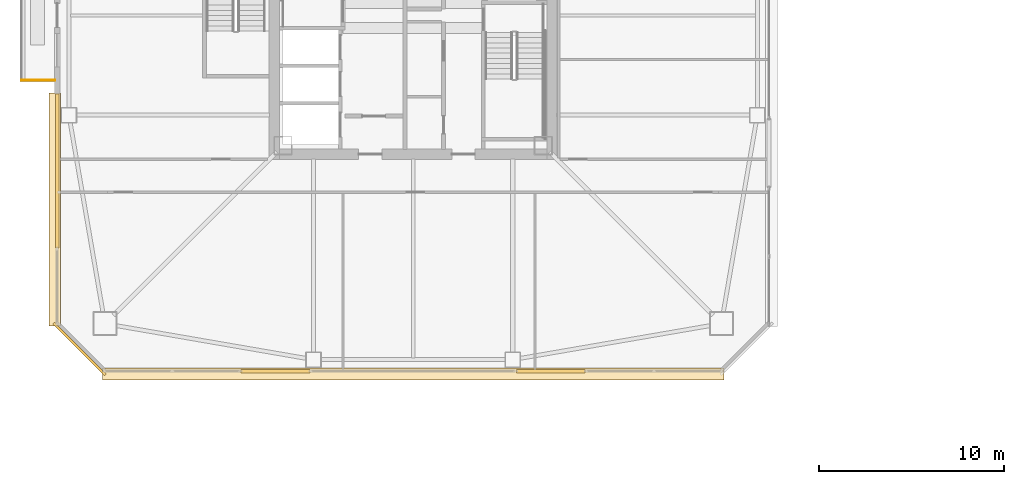
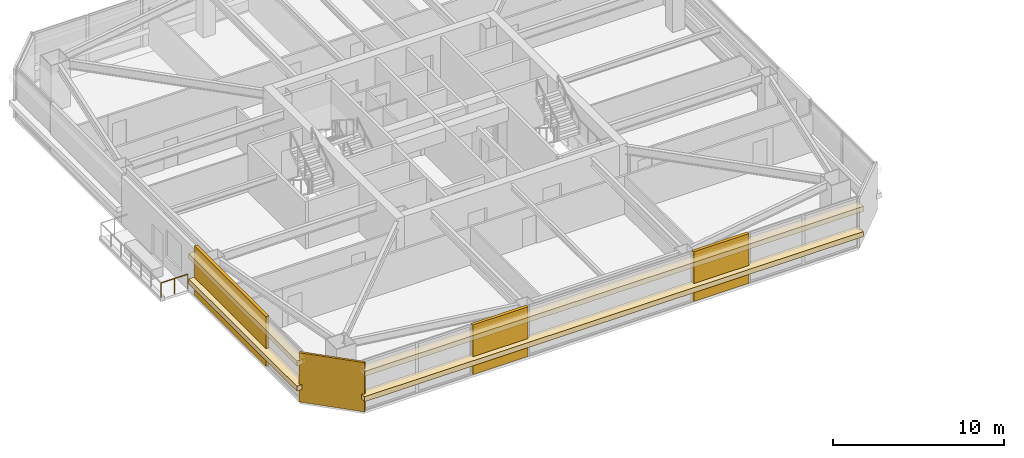
# One storey, part 41 of 46: 8 coverings, 1 railing.
"""IFC4 building model written with IfcOpenShell, lengths in metres."""

from ifc_helpers import new_model, si_unit, direction, frame, origin, origin_2d, place, context, subcontext, project, spatial, rectangle, extrude, material, layer, layer_set, type_object, element, save


model = new_model("IFC4")

# Units and contexts
model_context = context("Model", 3, precision=1e-05, world=origin(), true_north=direction((0.0, 1.0)))
body_context = subcontext(model_context, "Body", "Model", "MODEL_VIEW")
ifc_project = project(units=[si_unit("LENGTHUNIT", "METRE"), si_unit("AREAUNIT", "SQUARE_METRE"), si_unit("VOLUMEUNIT", "CUBIC_METRE"), si_unit("PLANEANGLEUNIT", "RADIAN"), si_unit("MASSUNIT", "GRAM", prefix="KILO")], contexts=[model_context])

# Site, building, storey
site_placement = place(None, origin())
site = spatial("IfcSite", under=ifc_project, at=site_placement, CompositionType="ELEMENT")
building_placement = place(site_placement, origin())
building = spatial("IfcBuilding", under=site, at=building_placement, Name="Tashvorn Skyway Center", CompositionType="ELEMENT")
storey_placement = place(building_placement, frame((0.0, 0.0, 132.14990234375)))
storey = spatial("IfcBuildingStorey", under=building, at=storey_placement, Name="L35", CompositionType="ELEMENT", Elevation=132.14990234375)

# Coverings
ifc_material_1 = material(Name="Precast concrete C40/50", Category="concrete")
ifc_layer_1 = layer(ifc_material_1, 0.199951171875)
ifc_layer_set_1 = layer_set([ifc_layer_1], Name="Precast concrete C40/50")
covering_type_1 = type_object("IfcCoveringType", Name="COV-BRACE-CLAD", PredefinedType="CLADDING", material=ifc_layer_set_1)
for number, where, z_axis, x_axis, name in (
    (1, (49.457763671875, 12.719970703125, 0.0), (0.0, 0.0, 1.0), (-1.0, 0.0, 0.0), "Tower 1 L35 South Unitised Curtain Wall Mega-Brace Cladding Band 1"),
    (2, (34.542236328125, 12.719970703125, 0.0), (0.0, 0.0, 1.0), (-1.0, 0.0, 0.0), "Tower 1 L35 South Unitised Curtain Wall Mega-Brace Cladding Band 2"),
):
    element("IfcCovering", number, at=place(storey_placement, frame(where, z_axis=z_axis, x_axis=x_axis)), inside=storey, type_object=covering_type_1, Name=name, PredefinedType="CLADDING", context=body_context, shape_type="SweptSolid", body=[
        extrude(rectangle(XDim=3.72900390625, YDim=0.199951171875, at=origin_2d()), origin(), (0.0, 0.0, 1.0), 3.550048828125),
    ])
covering_1_placement = place(storey_placement, frame((22.719970703125, 23.5732421875, 0.0), z_axis=(0.0, 0.0, 1.0), x_axis=(0.0, 1.0, 0.0)))
element("IfcCovering", 3, at=covering_1_placement, inside=storey, type_object=covering_type_1, Name="Tower 1 L35 West Curtain Wall L Mega-Brace Cladding Band 1", PredefinedType="CLADDING", context=body_context, shape_type="SweptSolid", body=[
    extrude(rectangle(XDim=8.353271484375, YDim=0.199951171875, at=origin_2d()), origin(), (0.0, 0.0, 1.0), 3.550048828125),
])
ifc_material_2 = material(Name="Perforated ceramic-coated bronze aluminium solar screen", Category="aluminium")
ifc_layer_2 = layer(ifc_material_2, 0.85009765625)
ifc_layer_set_2 = layer_set([ifc_layer_2], Name="Perforated ceramic-coated bronze aluminium solar screen")
covering_type_2 = type_object("IfcCoveringType", Name="COV-SOLAR-BAND", PredefinedType="CLADDING", material=ifc_layer_set_2)
for number, where, z_axis, x_axis, name in (
    (4, (42.0, 12.580078125, 0.919921875), (0.0, 0.0, 1.0), (-1.0, 0.0, 0.0), "L35 Perforated Ceramic-Metal Solar Screen Louvre Band South 1"),
    (5, (42.0, 12.580078125, 2.72021484375), (0.0, 0.0, 1.0), (-1.0, 0.0, 0.0), "L35 Perforated Ceramic-Metal Solar Screen Louvre Band South 2"),
):
    element("IfcCovering", number, at=place(storey_placement, frame(where, z_axis=z_axis, x_axis=x_axis)), inside=storey, type_object=covering_type_2, Name=name, PredefinedType="CLADDING", context=body_context, shape_type="SweptSolid", body=[
        extrude(rectangle(XDim=33.679931640625, YDim=0.639892578125, at=origin_2d()), origin(), (0.0, 0.0, 1.0), 0.360107421875),
    ])
for number, where, z_axis, x_axis, name in (
    (6, (22.580078125, 21.485107421875, 0.919921875), (0.0, 0.0, 1.0), (0.0, 1.0, 0.0), "L35 Perforated Ceramic-Metal Solar Screen Louvre Band West 1"),
    (7, (22.580078125, 21.485107421875, 2.72021484375), (0.0, 0.0, 1.0), (0.0, 1.0, 0.0), "L35 Perforated Ceramic-Metal Solar Screen Louvre Band West 2"),
):
    element("IfcCovering", number, at=place(storey_placement, frame(where, z_axis=z_axis, x_axis=x_axis)), inside=storey, type_object=covering_type_2, Name=name, PredefinedType="CLADDING", context=body_context, shape_type="SweptSolid", body=[
        extrude(rectangle(XDim=12.64990234375, YDim=0.639892578125, at=origin_2d()), origin(), (0.0, 0.0, 1.0), 0.360107421875),
    ])
ifc_layer_3 = layer(ifc_material_1, 0.35009765625)
ifc_layer_set_3 = layer_set([ifc_layer_3], Name="Precast concrete C40/50")
covering_type_3 = type_object("IfcCoveringType", Name="COV-STONE-TRIM", PredefinedType="CLADDING", material=ifc_layer_set_3)
covering_2_placement = place(storey_placement, frame((23.929931640625, 13.929931640625, 0.02001953125), z_axis=(0.0, 0.0, 1.0), x_axis=(-0.707106781187, 0.707106781187, 0.0)))
element("IfcCovering", 8, at=covering_2_placement, inside=storey, type_object=covering_type_3, Name="Tower 1 L35 SW Mojave Limestone Corner Quoin", PredefinedType="CLADDING", context=body_context, shape_type="SweptSolid", body=[
    extrude(rectangle(XDim=3.978515625, YDim=0.139892578125, at=origin_2d()), origin(), (0.0, 0.0, 1.0), 3.510009765625),
])

# Railing
ifc_material_3 = material(Name="Galvanized steel S355", Category="steel")
railing_type = type_object("IfcRailingType", Name="RAIL-GUARD-1120", PredefinedType="GUARDRAIL", material=ifc_material_3)
railing_placement = place(storey_placement, frame((22.60009765625, 28.47998046875, 0.0)))
element("IfcRailing", 9, at=railing_placement, inside=storey, type_object=railing_type, Name="L35 Tower 1 Terrace Guardrail 01", PredefinedType="GUARDRAIL", context=body_context, shape_type="SweptSolid", body=[
    extrude(rectangle(XDim=0.048095703125, YDim=0.048095703125, at=origin_2d()), frame((0.0, 0.0, 1.09619140625), z_axis=(-1.0, 0.0, 0.0), x_axis=(0.0, -1.0, 0.0)), (0.0, 0.0, 1.0), 1.820068359375),
    extrude(rectangle(XDim=0.0419921875, YDim=0.0419921875, at=origin_2d()), origin(), (0.0, 0.0, 1.0), 1.072021484375),
    extrude(rectangle(XDim=0.0419921875, YDim=0.0419921875, at=origin_2d()), frame((-0.91015625, 0.0, 0.0)), (0.0, 0.0, 1.0), 1.072021484375),
    extrude(rectangle(XDim=0.0419921875, YDim=0.0419921875, at=origin_2d()), frame((-1.820068359375, 0.0, 0.0)), (0.0, 0.0, 1.0), 1.072021484375),
])

save(model, "model.ifc")
